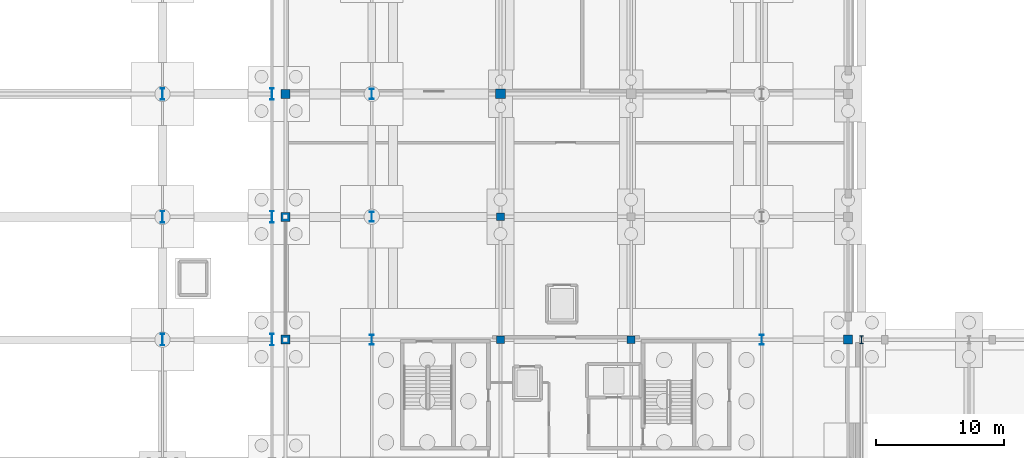
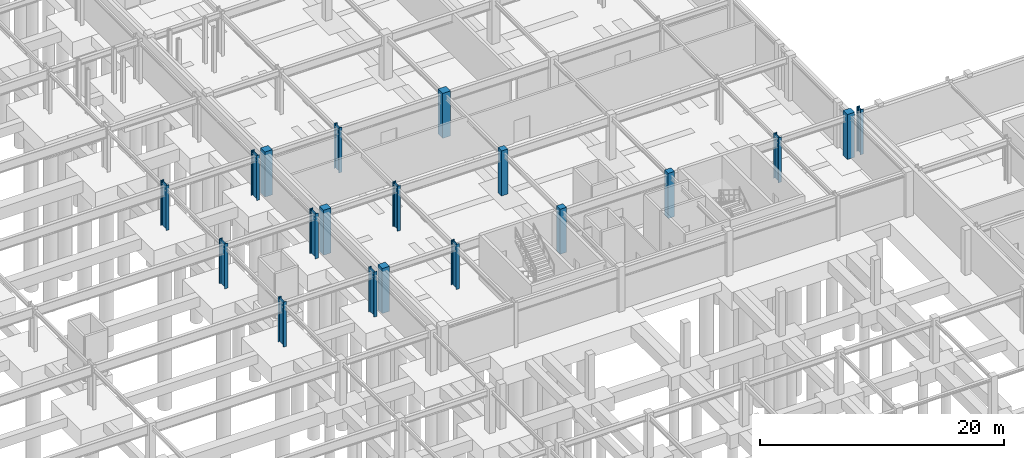
# One storey, part 14 of 59: 19 columns.
"""IFC4 building model written with IfcOpenShell, lengths in metres."""

from ifc_helpers import new_model, si_unit, direction, frame, origin, origin_2d, place, context, subcontext, project, spatial, rectangle, i_section, extrude, material, material_profile, profile_set, type_object, element, save


model = new_model("IFC4")

# Units and contexts
model_context = context("Model", 3, precision=1e-05, world=origin(), true_north=direction((0.0, 1.0)))
body_context = subcontext(model_context, "Body", "Model", "MODEL_VIEW")
ifc_project = project(units=[si_unit("LENGTHUNIT", "METRE"), si_unit("AREAUNIT", "SQUARE_METRE"), si_unit("VOLUMEUNIT", "CUBIC_METRE"), si_unit("PLANEANGLEUNIT", "RADIAN"), si_unit("MASSUNIT", "GRAM", prefix="KILO")], contexts=[model_context])

# Site, building, storey
site_placement = place(None, origin())
site = spatial("IfcSite", under=ifc_project, at=site_placement, CompositionType="ELEMENT")
building_placement = place(site_placement, origin())
building = spatial("IfcBuilding", under=site, at=building_placement, Name="Myrtia Square Station", CompositionType="ELEMENT")
storey_placement = place(building_placement, frame((0.0, 0.0, -4.5)))
storey = spatial("IfcBuildingStorey", under=building, at=storey_placement, Name="B01", CompositionType="ELEMENT", Elevation=-4.5)

# Columns
ifc_material_1 = material(Name="Steel S355", Category="steel")
ifc_material_profile_1 = material_profile(ifc_material_1, i_section(OverallWidth=0.300048828125, OverallDepth=0.60009765625, WebThickness=0.015380859375, FlangeThickness=0.030029296875, FilletRadius=0.027099609375, at=origin_2d()), Name="HEB 600")
ifc_profile_set_1 = profile_set([ifc_material_profile_1], Name="Steel S355")
column_type_1 = type_object("IfcColumnType", Name="COL-HEB600", PredefinedType="COLUMN", material=ifc_profile_set_1)
column_1_placement = place(storey_placement, frame((117.60009765625, 38.39990234375, 0.0), z_axis=(0.0, 0.0, 1.0), x_axis=(1.0, 0.0, 0.0)))
element("IfcColumn", 1, at=column_1_placement, inside=storey, type_object=column_type_1, Name="Column B01-0579", PredefinedType="COLUMN", context=body_context, shape_type="SweptSolid", body=[
    extrude(i_section(OverallWidth=0.300048828125, OverallDepth=0.60009765625, WebThickness=0.015380859375, FlangeThickness=0.030029296875, FilletRadius=0.027099609375, at=origin_2d()), origin(), (0.0, 0.0, 1.0), 4.5),
])
ifc_material_profile_2 = material_profile(ifc_material_1, i_section(OverallWidth=0.300048828125, OverallDepth=0.800048828125, WebThickness=0.017578125, FlangeThickness=0.032958984375, FilletRadius=0.030029296875, at=origin_2d()), Name="HEB 800")
ifc_profile_set_2 = profile_set([ifc_material_profile_2], Name="Steel S355")
column_type_2 = type_object("IfcColumnType", Name="COL-HEB800", PredefinedType="COLUMN", material=ifc_profile_set_2)
for number, where, z_axis, x_axis, name in (
    (2, (79.35009765625, 38.39990234375, 0.0), (0.0, 0.0, 1.0), (1.0, 0.0, 0.0), "Column B01-0273"),
    (3, (109.800048828125, 38.39990234375, 0.0), (0.0, 0.0, 1.0), (1.0, 0.0, 0.0), "Column B01-0279"),
    (4, (79.35009765625, 48.0, 0.0), (0.0, 0.0, 1.0), (1.0, 0.0, 0.0), "Column B01-0295"),
    (5, (79.35009765625, 57.60009765625, 0.0), (0.0, 0.0, 1.0), (1.0, 0.0, 0.0), "Column B01-0317"),
):
    element("IfcColumn", number, at=place(storey_placement, frame(where, z_axis=z_axis, x_axis=x_axis)), inside=storey, type_object=column_type_2, Name=name, PredefinedType="COLUMN", context=body_context, shape_type="SweptSolid", body=[
        extrude(i_section(OverallWidth=0.300048828125, OverallDepth=0.800048828125, WebThickness=0.017578125, FlangeThickness=0.032958984375, FilletRadius=0.030029296875, at=origin_2d()), origin(), (0.0, 0.0, 1.0), 4.5),
    ])
ifc_material_profile_3 = material_profile(ifc_material_1, i_section(OverallWidth=0.300048828125, OverallDepth=0.89990234375, WebThickness=0.0185546875, FlangeThickness=0.034912109375, FilletRadius=0.030029296875, at=origin_2d()), Name="HEB 900")
ifc_profile_set_3 = profile_set([ifc_material_profile_3], Name="Steel S355")
column_type_3 = type_object("IfcColumnType", Name="COL-HEB900", PredefinedType="COLUMN", material=ifc_profile_set_3)
for number, where, z_axis, x_axis, name in (
    (6, (63.0, 38.39990234375, 0.0), (0.0, 0.0, 1.0), (1.0, 0.0, 0.0), "Column B01-0169"),
    (7, (63.0, 48.0, 0.0), (0.0, 0.0, 1.0), (1.0, 0.0, 0.0), "Column B01-0172"),
    (8, (63.0, 57.60009765625, 0.0), (0.0, 0.0, 1.0), (1.0, 0.0, 0.0), "Column B01-0175"),
    (9, (71.550048828125, 38.39990234375, 0.0), (0.0, 0.0, 1.0), (1.0, 0.0, 0.0), "Column B01-0211"),
    (10, (71.550048828125, 48.0, 0.0), (0.0, 0.0, 1.0), (1.0, 0.0, 0.0), "Column B01-0214"),
    (11, (71.550048828125, 57.60009765625, 0.0), (0.0, 0.0, 1.0), (1.0, 0.0, 0.0), "Column B01-0217"),
):
    element("IfcColumn", number, at=place(storey_placement, frame(where, z_axis=z_axis, x_axis=x_axis)), inside=storey, type_object=column_type_3, Name=name, PredefinedType="COLUMN", context=body_context, shape_type="SweptSolid", body=[
        extrude(i_section(OverallWidth=0.300048828125, OverallDepth=0.89990234375, WebThickness=0.0185546875, FlangeThickness=0.034912109375, FilletRadius=0.030029296875, at=origin_2d()), origin(), (0.0, 0.0, 1.0), 4.5),
    ])
ifc_material_2 = material(Name="Concrete C40/50", Category="concrete")
ifc_material_profile_4 = material_profile(ifc_material_2, rectangle(XDim=0.60009765625, YDim=0.60009765625, at=origin_2d()), Name="RC 600x600")
ifc_profile_set_4 = profile_set([ifc_material_profile_4], Name="Concrete C40/50")
column_type_4 = type_object("IfcColumnType", Name="COL-RC600", PredefinedType="COLUMN", material=ifc_profile_set_4)
for number, where, z_axis, x_axis, name in (
    (12, (89.39990234375, 38.39990234375, 0.0), (0.0, 0.0, 1.0), (1.0, 0.0, 0.0), "Column B01-0422"),
    (13, (89.39990234375, 48.0, 0.0), (0.0, 0.0, 1.0), (1.0, 0.0, 0.0), "Column B01-0427"),
    (14, (99.60009765625, 38.39990234375, 0.0), (0.0, 0.0, 1.0), (1.0, 0.0, 0.0), "Column B01-0454"),
):
    element("IfcColumn", number, at=place(storey_placement, frame(where, z_axis=z_axis, x_axis=x_axis)), inside=storey, type_object=column_type_4, Name=name, PredefinedType="COLUMN", context=body_context, shape_type="SweptSolid", body=[
        extrude(rectangle(XDim=0.60009765625, YDim=0.60009765625, at=origin_2d()), origin(), (0.0, 0.0, 1.0), 4.5),
    ])
ifc_material_profile_5 = material_profile(ifc_material_2, rectangle(XDim=0.699951171875, YDim=0.699951171875, at=origin_2d()), Name="RC 700x700")
ifc_profile_set_5 = profile_set([ifc_material_profile_5], Name="Concrete C40/50")
column_type_5 = type_object("IfcColumnType", Name="COL-RC700", PredefinedType="COLUMN", material=ifc_profile_set_5)
for number, where, z_axis, x_axis, name in (
    (15, (72.60009765625, 38.39990234375, 0.0), (0.0, 0.0, 1.0), (1.0, 0.0, 0.0), "Column B01-0263"),
    (16, (116.550048828125, 38.39990234375, 0.0), (0.0, 0.0, 1.0), (1.0, 0.0, 0.0), "Column B01-0268"),
    (17, (72.60009765625, 48.0, 0.0), (0.0, 0.0, 1.0), (1.0, 0.0, 0.0), "Column B01-0285"),
    (18, (72.60009765625, 57.60009765625, 0.0), (0.0, 0.0, 1.0), (1.0, 0.0, 0.0), "Column B01-0307"),
):
    element("IfcColumn", number, at=place(storey_placement, frame(where, z_axis=z_axis, x_axis=x_axis)), inside=storey, type_object=column_type_5, Name=name, PredefinedType="COLUMN", context=body_context, shape_type="SweptSolid", body=[
        extrude(rectangle(XDim=0.699951171875, YDim=0.699951171875, at=origin_2d()), origin(), (0.0, 0.0, 1.0), 4.5),
    ])
ifc_material_profile_6 = material_profile(ifc_material_2, rectangle(XDim=0.75, YDim=0.75, at=origin_2d()), Name="RC 750x750")
ifc_profile_set_6 = profile_set([ifc_material_profile_6], Name="Concrete C40/50")
column_type_6 = type_object("IfcColumnType", Name="COL-RC750", PredefinedType="COLUMN", material=ifc_profile_set_6)
column_2_placement = place(storey_placement, frame((89.39990234375, 57.60009765625, 0.0), z_axis=(0.0, 0.0, 1.0), x_axis=(1.0, 0.0, 0.0)))
element("IfcColumn", 19, at=column_2_placement, inside=storey, type_object=column_type_6, Name="Column B01-0432", PredefinedType="COLUMN", context=body_context, shape_type="SweptSolid", body=[
    extrude(rectangle(XDim=0.75, YDim=0.75, at=origin_2d()), origin(), (0.0, 0.0, 1.0), 4.5),
])

save(model, "model.ifc")
